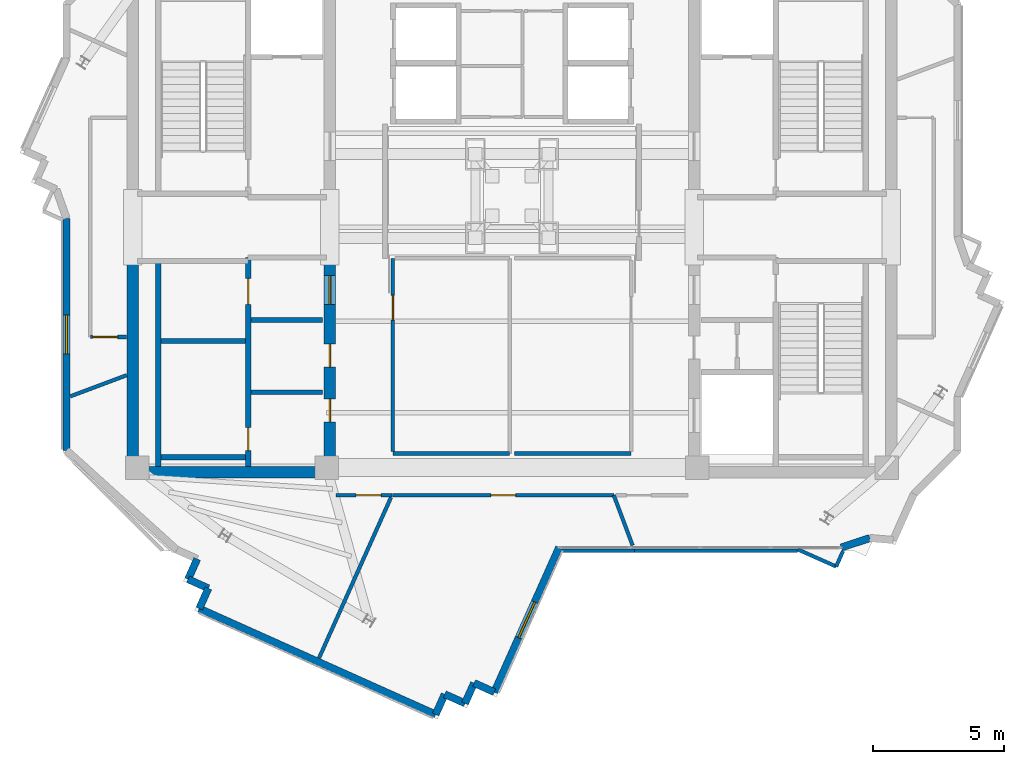
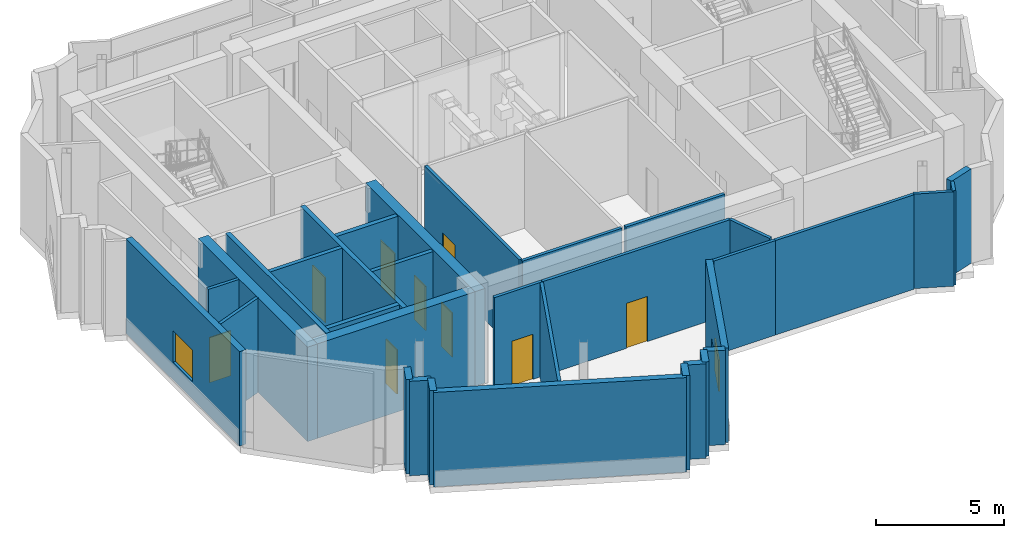
# One storey, part 5 of 11: 33 walls, 9 doors, 2 windows, 11 openings.
"""IFC4 building model written with IfcOpenShell, lengths in metres."""

import ifcopenshell
import ifcopenshell.guid

model = None  # the IFC model being written
_history = None  # IfcOwnerHistory: only IFC2X3 demands one
_inside = {}  # id of a spatial element -> (the spatial element, [elements in it])
_under = {}  # id of a project, library or spatial element -> (it, [spatial elements below it])
_declared = {}  # id of a project -> (the project, [libraries it declares])
_typed = {}  # id of a type object -> (the type object, [elements of that type])
_made_of = {}  # id of a material, layer set ... -> (it, [elements and type objects made of it])


def new_model(schema):
    """Start an empty IFC model of exactly this schema.

    Asked for "IFC4X3", IfcOpenShell would pick the latest addendum, in which some entities
    have other attributes; the version numbers below select the first issue.
    IFC2X3 requires an IfcOwnerHistory on every rooted entity: one is made here for all.
    """
    global model, _history
    if schema == "IFC4X3":
        model = ifcopenshell.file(schema_version=(4, 3, 0, 0))
    else:
        model = ifcopenshell.file(schema=schema)
    _inside.clear()
    _under.clear()
    _declared.clear()
    _typed.clear()
    _made_of.clear()
    _history = None
    if model.schema == "IFC2X3":
        org = make("IfcOrganization", Name="unknown")
        user = make(
            "IfcPersonAndOrganization",
            ThePerson=make("IfcPerson", FamilyName="unknown"),
            TheOrganization=org,
        )
        app = make(
            "IfcApplication",
            ApplicationDeveloper=org,
            Version="unknown",
            ApplicationFullName="unknown",
            ApplicationIdentifier="unknown",
        )
        _history = make(
            "IfcOwnerHistory",
            OwningUser=user,
            OwningApplication=app,
            ChangeAction="ADDED",
            CreationDate=0,
        )
    return model


def make(cls, **values):
    """One entity of the class cls with the attributes given. An attribute that is None is left unset."""
    return model.create_entity(
        cls, **{name: value for name, value in values.items() if value is not None}
    )


def rooted(cls, **values):
    """An entity with a GlobalId (a new one), such as an element, a storey or a relation."""
    return make(cls, GlobalId=ifcopenshell.guid.new(), OwnerHistory=_history, **values)


def si_unit(unit_type, name, prefix=None):
    """IfcSIUnit, for example si_unit("LENGTHUNIT", "METRE", prefix="MILLI")."""
    return make("IfcSIUnit", UnitType=unit_type, Prefix=prefix, Name=name)


def assignment(units):
    """IfcUnitAssignment: the units of a project."""
    return None if units is None else make("IfcUnitAssignment", Units=units)


def point(xyz):
    """IfcCartesianPoint."""
    return None if xyz is None else make("IfcCartesianPoint", Coordinates=xyz)


def direction(xyz):
    """IfcDirection."""
    return None if xyz is None else make("IfcDirection", DirectionRatios=xyz)


def frame(location, z_axis=None, x_axis=None):
    """IfcAxis2Placement3D, a coordinate frame: its origin and axes. An axis left out is left unset."""
    return make(
        "IfcAxis2Placement3D",
        Location=point(location),
        Axis=direction(z_axis),
        RefDirection=direction(x_axis),
    )


def frame_2d(location, x_axis=None):
    """IfcAxis2Placement2D, a coordinate frame in the plane: its origin and x axis."""
    return make(
        "IfcAxis2Placement2D", Location=point(location), RefDirection=direction(x_axis)
    )


def origin():
    """The frame at (0, 0, 0) with its axes left unset."""
    return frame((0.0, 0.0, 0.0))


def place(relative_to, where):
    """IfcLocalPlacement: puts the frame where relative to a parent placement (None: the world)."""
    return make(
        "IfcLocalPlacement", PlacementRelTo=relative_to, RelativePlacement=where
    )


def context(
    kind, dimensions, precision=None, world=None, true_north=None, identifier=None
):
    """IfcGeometricRepresentationContext, for example the 3D "Model" context."""
    return make(
        "IfcGeometricRepresentationContext",
        ContextIdentifier=identifier,
        ContextType=kind,
        CoordinateSpaceDimension=dimensions,
        Precision=precision,
        WorldCoordinateSystem=world,
        TrueNorth=true_north,
    )


def subcontext(parent, identifier, kind, view, scale=None):
    """IfcGeometricRepresentationSubContext, for example "Body" below "Model"."""
    return make(
        "IfcGeometricRepresentationSubContext",
        ContextIdentifier=identifier,
        ContextType=kind,
        ParentContext=parent,
        TargetScale=scale,
        TargetView=view,
    )


def project(units=None, contexts=None):
    """IfcProject with its units and contexts."""
    return rooted(
        "IfcProject",
        Name="project",
        RepresentationContexts=contexts,
        UnitsInContext=assignment(units),
    )


def spatial(cls, under=None, at=None, **own):
    """A site, building, storey or space (cls), placed at a placement, below another one or the project."""
    s = rooted(cls, ObjectPlacement=at, **own)
    if under is not None:
        _under.setdefault(under.id(), (under, []))[1].append(s)
    return s


def profile(cls, at=None, kind="AREA", **sizes):
    """A parametric profile (cls). Its sizes go by their IFC names, for example OverallWidth=200.0."""
    return make(cls, ProfileType=kind, Position=at, **sizes)


def rectangle(**sizes):
    """IfcRectangleProfileDef."""
    return profile("IfcRectangleProfileDef", **sizes)


def extrude(swept, where, along, depth):
    """IfcExtrudedAreaSolid: the profile swept, set in the frame where, extruded along a direction by depth."""
    return make(
        "IfcExtrudedAreaSolid",
        SweptArea=swept,
        Position=where,
        ExtrudedDirection=direction(along),
        Depth=depth,
    )


def shape(context_of_items, identifier, shape_type, items):
    """IfcShapeRepresentation: the items that make up one representation, for example the "Body"."""
    return make(
        "IfcShapeRepresentation",
        ContextOfItems=context_of_items,
        RepresentationIdentifier=identifier,
        RepresentationType=shape_type,
        Items=items,
    )


def source(mapping_origin, context_of_items, identifier, shape_type, items):
    """IfcRepresentationMap: a shape defined once, which mapped items show again and again."""
    return make(
        "IfcRepresentationMap",
        MappingOrigin=mapping_origin,
        MappedRepresentation=shape(context_of_items, identifier, shape_type, items),
    )


def transform(
    local_origin,
    x_axis=None,
    y_axis=None,
    z_axis=None,
    scale=None,
    scale2=None,
    scale3=None,
    uniform=True,
):
    """IfcCartesianTransformationOperator3D, or its non-uniform kind. x_axis, y_axis, z_axis: its Axis1, 2, 3."""
    if uniform:
        return make(
            "IfcCartesianTransformationOperator3D",
            Axis1=direction(x_axis),
            Axis2=direction(y_axis),
            LocalOrigin=point(local_origin),
            Scale=scale,
            Axis3=direction(z_axis),
        )
    return make(
        "IfcCartesianTransformationOperator3DnonUniform",
        Axis1=direction(x_axis),
        Axis2=direction(y_axis),
        LocalOrigin=point(local_origin),
        Scale=scale,
        Axis3=direction(z_axis),
        Scale2=scale2,
        Scale3=scale3,
    )


def mapped(mapping_source, mapping_target):
    """IfcMappedItem: shows the shape of a source again, moved by a transform."""
    return make(
        "IfcMappedItem", MappingSource=mapping_source, MappingTarget=mapping_target
    )


def material(Name=None, Category=None):
    """IfcMaterial."""
    return make("IfcMaterial", Name=Name, Category=Category)


def layer(
    of_material, thickness, ventilated=None, Name=None, Category=None, Priority=None
):
    """IfcMaterialLayer: one layer of a wall or slab, of a material (None: an air gap)."""
    return make(
        "IfcMaterialLayer",
        Material=of_material,
        LayerThickness=thickness,
        IsVentilated=ventilated,
        Name=Name,
        Category=Category,
        Priority=Priority,
    )


def layer_set(layers, Name=None):
    """IfcMaterialLayerSet."""
    return make("IfcMaterialLayerSet", MaterialLayers=layers, LayerSetName=Name)


def made_of(thing, what):
    """Note that an element or type object is made of a material, layer set ...; save() writes the relation."""
    if what is not None:
        _made_of.setdefault(what.id(), (what, []))[1].append(thing)
    return thing


def type_object(cls, material=None, **own):
    """A type object (cls), such as IfcWallType, which elements share."""
    return made_of(rooted(cls, **own), material)


def element(
    cls,
    number,
    at=None,
    inside=None,
    cuts=None,
    type_object=None,
    material=None,
    context=None,
    identifier="Body",
    shape_type=None,
    held_by="IfcProductDefinitionShape",
    body=None,
    shapes=None,
    **own,
):
    """One element of the class cls, such as IfcWall. Its Tag is "e" and its number.

    at: its placement. inside: the storey or other place that contains it. cuts: it is an
    opening in that element (IfcRelVoidsElement). A single representation is given by context,
    identifier, shape_type and body (its items); several are given by shapes. held_by: the class
    of the entity that holds the representations. save() writes the other relations.
    """
    e = rooted(cls, Tag="e%d" % number, ObjectPlacement=at, **own)
    if body is not None:
        shapes = [shape(context, identifier, shape_type, body)]
    if shapes is not None:
        e.Representation = make(held_by, Representations=shapes)
    if inside is not None:
        _inside.setdefault(inside.id(), (inside, []))[1].append(e)
    if cuts is not None:
        rooted(
            "IfcRelVoidsElement", RelatingBuildingElement=cuts, RelatedOpeningElement=e
        )
    if type_object is not None:
        _typed.setdefault(type_object.id(), (type_object, []))[1].append(e)
    return made_of(e, material)


def fill(opening, filler):
    """IfcRelFillsElement: the door or window that sits in an opening."""
    return rooted(
        "IfcRelFillsElement",
        RelatingOpeningElement=opening,
        RelatedBuildingElement=filler,
    )


def aggregate(whole, parts):
    """IfcRelAggregates: a whole, such as a stair, and the parts it consists of."""
    return rooted("IfcRelAggregates", RelatingObject=whole, RelatedObjects=parts)


def save(model, path):
    """Write the relations noted so far, then the file.

    IfcRelAggregates (storeys below a building ...), IfcRelContainedInSpatialStructure (elements
    in a storey), IfcRelDefinesByType, IfcRelAssociatesMaterial and IfcRelDeclares: one each for
    every whole, place, type object, material and project.
    """
    for whole, parts in _under.values():
        aggregate(whole, parts)
    for where, things in _inside.values():
        rooted(
            "IfcRelContainedInSpatialStructure",
            RelatedElements=things,
            RelatingStructure=where,
        )
    for kind, things in _typed.values():
        rooted("IfcRelDefinesByType", RelatedObjects=things, RelatingType=kind)
    for what, things in _made_of.values():
        rooted("IfcRelAssociatesMaterial", RelatedObjects=things, RelatingMaterial=what)
    for by, libraries in _declared.values():
        rooted("IfcRelDeclares", RelatingContext=by, RelatedDefinitions=libraries)
    model.write(path)


model = new_model("IFC4")

# Units and contexts
model_context = context("Model", 3, precision=1e-05, world=origin(), true_north=direction((0.0, 1.0)))
body_context = subcontext(model_context, "Body", "Model", "MODEL_VIEW")
ifc_project = project(units=[si_unit("LENGTHUNIT", "METRE"), si_unit("AREAUNIT", "SQUARE_METRE"), si_unit("VOLUMEUNIT", "CUBIC_METRE"), si_unit("PLANEANGLEUNIT", "RADIAN"), si_unit("MASSUNIT", "GRAM", prefix="KILO")], contexts=[model_context])

# Site, building, storey
site_placement = place(None, origin())
site = spatial("IfcSite", under=ifc_project, at=site_placement, CompositionType="ELEMENT")
building_placement = place(site_placement, origin())
building = spatial("IfcBuilding", under=site, at=building_placement, Name="Zahravan Cultural Tower", CompositionType="ELEMENT")
storey_placement = place(building_placement, frame((0.0, 0.0, 361.050048828125)))
storey = spatial("IfcBuildingStorey", under=building, at=storey_placement, Name="L88", CompositionType="ELEMENT", Elevation=361.050048828125)

# Wall, openings, doors
ifc_material_1 = material(Name="Concrete C50/60", Category="concrete")
ifc_layer_1 = layer(ifc_material_1, 0.449951171875)
ifc_layer_set_1 = layer_set([ifc_layer_1], Name="Concrete C50/60")
wall_type_1 = type_object("IfcWallType", Name="CW-SHEAR-450-C50", PredefinedType="SHEAR", material=ifc_layer_set_1)
wall_1_placement = place(storey_placement, frame((29.02490234375, 17.39990234375, 0.0), z_axis=(0.0, 0.0, 1.0), x_axis=(0.0, 1.0, 0.0)))
wall_1 = element("IfcWall", 1, at=wall_1_placement, inside=storey, type_object=wall_type_1, Name="L88 Core Shear Wall CW-W-ES-L88", PredefinedType="SHEAR", context=body_context, shape_type="SweptSolid", body=[
    extrude(rectangle(XDim=8.550048828125, YDim=0.449951171875, at=frame_2d((4.27490234375, 0.0))), origin(), (0.0, 0.0, 1.0), 4.5),
])
opening_1_placement = place(wall_1_placement, frame((6.64990234375, 0.0, 0.0)))
opening_1 = element("IfcOpeningElement", 2, at=opening_1_placement, cuts=wall_1, Name="Opening D-L88-08", PredefinedType="OPENING", context=body_context, shape_type="SweptSolid", body=[
    extrude(rectangle(XDim=1.10009765625, YDim=2.199951171875, at=frame_2d((0.550048828125, 1.10009765625))), frame((0.0, 0.23486328125, 0.0), z_axis=(0.0, -1.0, 0.0), x_axis=(1.0, 0.0, 0.0)), (0.0, 0.0, 1.0), 0.469970703125),
])
opening_2_placement = place(wall_1_placement, frame((2.14990234375, 0.0, 0.0)))
opening_2 = element("IfcOpeningElement", 3, at=opening_2_placement, cuts=wall_1, Name="Opening D-L88-10", PredefinedType="OPENING", context=body_context, shape_type="SweptSolid", body=[
    extrude(rectangle(XDim=0.8798828125, YDim=2.10009765625, at=frame_2d((0.43994140625, 1.050048828125))), frame((0.0, 0.23486328125, 0.0), z_axis=(0.0, -1.0, 0.0), x_axis=(1.0, 0.0, 0.0)), (0.0, 0.0, 1.0), 0.469970703125),
])
opening_3_placement = place(wall_1_placement, frame((4.25, 0.0, 0.0)))
opening_3 = element("IfcOpeningElement", 4, at=opening_3_placement, cuts=wall_1, Name="Opening D-L88-11", PredefinedType="OPENING", context=body_context, shape_type="SweptSolid", body=[
    extrude(rectangle(XDim=0.8798828125, YDim=2.10009765625, at=frame_2d((0.43994140625, 1.050048828125))), frame((0.0, 0.23486328125, 0.0), z_axis=(0.0, -1.0, 0.0), x_axis=(1.0, 0.0, 0.0)), (0.0, 0.0, 1.0), 0.469970703125),
])
ifc_material_2 = material(Name="Steel ASTM A572 Grade 50", Category="steel")
door_type_1 = type_object("IfcDoorType", Name="DR-LOBBY-1100", OperationType="NOTDEFINED", PredefinedType="DOOR", material=ifc_material_2)
shared_shape_1 = source(origin(), body_context, "Body", "SweptSolid", [
    extrude(rectangle(XDim=1.10009765625, YDim=2.199951171875, at=frame_2d((0.550048828125, 1.10009765625))), frame((0.0, 0.02490234375, 0.0), z_axis=(0.0, -1.0, 0.0), x_axis=(1.0, 0.0, 0.0)), (0.0, 0.0, 1.0), 0.050048828125),
])
door_1_placement = place(opening_1_placement, origin())
door_1 = element("IfcDoor", 5, at=door_1_placement, inside=storey, type_object=door_type_1, Name="L88 Door D-L88-08", OperationType="SINGLE_SWING_RIGHT", OverallHeight=2.199951171875, OverallWidth=1.10009765625, PredefinedType="DOOR", context=body_context, shape_type="MappedRepresentation", body=[
    mapped(shared_shape_1, transform((0.0, 0.0, 0.0), x_axis=(1.0, 0.0, 0.0), y_axis=(0.0, 1.0, 0.0), z_axis=(0.0, 0.0, 1.0), scale=1.0)),
])
fill(opening_1, door_1)
door_type_2 = type_object("IfcDoorType", Name="DR-SVC-880", OperationType="NOTDEFINED", PredefinedType="DOOR", material=ifc_material_2)
shared_shape_2 = source(origin(), body_context, "Body", "SweptSolid", [
    extrude(rectangle(XDim=0.8798828125, YDim=2.10009765625, at=frame_2d((0.43994140625, 1.050048828125))), frame((0.0, 0.02490234375, 0.0), z_axis=(0.0, -1.0, 0.0), x_axis=(1.0, 0.0, 0.0)), (0.0, 0.0, 1.0), 0.050048828125),
])
door_2_placement = place(opening_2_placement, origin())
door_2 = element("IfcDoor", 6, at=door_2_placement, inside=storey, type_object=door_type_2, Name="L88 Door D-L88-10", OperationType="SINGLE_SWING_RIGHT", OverallHeight=2.10009765625, OverallWidth=0.8798828125, PredefinedType="DOOR", context=body_context, shape_type="MappedRepresentation", body=[
    mapped(shared_shape_2, transform((0.0, 0.0, 0.0), x_axis=(1.0, 0.0, 0.0), y_axis=(0.0, 1.0, 0.0), z_axis=(0.0, 0.0, 1.0), scale=1.0)),
])
fill(opening_2, door_2)
door_3_placement = place(opening_3_placement, origin())
door_3 = element("IfcDoor", 7, at=door_3_placement, inside=storey, type_object=door_type_2, Name="L88 Door D-L88-11", OperationType="SINGLE_SWING_LEFT", OverallHeight=2.10009765625, OverallWidth=0.8798828125, PredefinedType="DOOR", context=body_context, shape_type="MappedRepresentation", body=[
    mapped(shared_shape_2, transform((0.0, 0.0, 0.0), x_axis=(1.0, 0.0, 0.0), y_axis=(0.0, 1.0, 0.0), z_axis=(0.0, 0.0, 1.0), scale=1.0)),
])
fill(opening_3, door_3)

# Wall, opening, window
ifc_material_3 = material(Name="Precast concrete C40/50", Category="concrete")
ifc_layer_2 = layer(ifc_material_3, 0.280029296875)
ifc_layer_set_2 = layer_set([ifc_layer_2], Name="Precast concrete C40/50")
wall_type_2 = type_object("IfcWallType", Name="EW-TC-280", PredefinedType="SOLIDWALL", material=ifc_layer_set_2)
wall_2_placement = place(storey_placement, frame((18.93994140625, 18.4580078125, 0.0), z_axis=(0.0, 0.0, 1.0), x_axis=(0.0, 1.0, 0.0)))
wall_2 = element("IfcWall", 8, at=wall_2_placement, inside=storey, type_object=wall_type_2, Name="L88 Exterior Masonry Frame Wall 02", PredefinedType="SOLIDWALL", context=body_context, shape_type="SweptSolid", body=[
    extrude(rectangle(XDim=8.887451171875, YDim=0.280029296875, at=frame_2d((4.44384765625, 0.0))), origin(), (0.0, 0.0, 1.0), 4.5),
])
opening_4_placement = place(wall_2_placement, frame((3.694091796875, 0.0, 0.85009765625)))
opening_4 = element("IfcOpeningElement", 9, at=opening_4_placement, cuts=wall_2, Name="Opening WN-03", PredefinedType="OPENING", context=body_context, shape_type="SweptSolid", body=[
    extrude(rectangle(XDim=1.5, YDim=1.5, at=frame_2d((0.75, 0.75))), frame((0.0, 0.14990234375, 0.0), z_axis=(0.0, -1.0, 0.0), x_axis=(1.0, 0.0, 0.0)), (0.0, 0.0, 1.0), 0.300048828125),
])
ifc_material_4 = material(Name="Low-E solar-control double glazing", Category="glass")
window_type = type_object("IfcWindowType", Name="WN-REC-1500X1500", PartitioningType="SINGLE_PANEL", PredefinedType="WINDOW", material=ifc_material_4)
shared_shape_3 = source(origin(), body_context, "Body", "SweptSolid", [
    extrude(rectangle(XDim=1.5, YDim=1.5, at=frame_2d((0.75, 0.75))), frame((0.0, 0.030029296875, 0.0), z_axis=(0.0, -1.0, 0.0), x_axis=(1.0, 0.0, 0.0)), (0.0, 0.0, 1.0), 0.06005859375),
])
window_1_placement = place(opening_4_placement, origin())
window_1 = element("IfcWindow", 10, at=window_1_placement, inside=storey, type_object=window_type, Name="L88 Recessed Solar Window 01", OverallHeight=1.5, OverallWidth=1.5, PartitioningType="SINGLE_PANEL", PredefinedType="WINDOW", context=body_context, shape_type="MappedRepresentation", body=[
    mapped(shared_shape_3, transform((0.0, 0.0, 0.0), x_axis=(1.0, 0.0, 0.0), y_axis=(0.0, 1.0, 0.0), z_axis=(0.0, 0.0, 1.0), scale=1.0)),
])
fill(opening_4, window_1)

wall_3_placement = place(storey_placement, frame((37.80517578125, 14.739990234375, 0.0), z_axis=(0.0, 0.0, 1.0), x_axis=(-0.408872261421, -0.912591624901, 0.0)))
wall_3 = element("IfcWall", 11, at=wall_3_placement, inside=storey, type_object=wall_type_2, Name="L88 Exterior Masonry Frame Wall 35", PredefinedType="SOLIDWALL", context=body_context, shape_type="SweptSolid", body=[
    extrude(rectangle(XDim=6.069580078125, YDim=0.280029296875, at=frame_2d((3.03466796875, 0.0))), origin(), (0.0, 0.0, 1.0), 4.5),
])
opening_5_placement = place(wall_3_placement, frame((2.284912109375, 0.0, 0.85009765625)))
opening_5 = element("IfcOpeningElement", 12, at=opening_5_placement, cuts=wall_3, Name="Opening WN-03", PredefinedType="OPENING", context=body_context, shape_type="SweptSolid", body=[
    extrude(rectangle(XDim=1.5, YDim=1.5, at=frame_2d((0.75, 0.75))), frame((0.0, 0.14990234375, 0.0), z_axis=(0.0, -1.0, 0.0), x_axis=(1.0, 0.0, 0.0)), (0.0, 0.0, 1.0), 0.300048828125),
])
window_2_placement = place(opening_5_placement, origin())
window_2 = element("IfcWindow", 13, at=window_2_placement, inside=storey, type_object=window_type, Name="L88 Recessed Solar Window 06", OverallHeight=1.5, OverallWidth=1.5, PartitioningType="SINGLE_PANEL", PredefinedType="WINDOW", context=body_context, shape_type="MappedRepresentation", body=[
    mapped(shared_shape_3, transform((0.0, 0.0, 0.0), x_axis=(1.0, 0.0, 0.0), y_axis=(0.0, 1.0, 0.0), z_axis=(0.0, 0.0, 1.0), scale=1.0)),
])
fill(opening_5, window_2)

# Wall, opening, door
ifc_material_5 = material(Name="Gypsum plasterboard partition")
ifc_layer_3 = layer(ifc_material_5, 0.139892578125)
ifc_layer_set_3 = layer_set([ifc_layer_3], Name="Gypsum plasterboard partition")
wall_type_3 = type_object("IfcWallType", Name="W-PART-140", PredefinedType="PARTITIONING", material=ifc_layer_set_3)
wall_4_placement = place(storey_placement, frame((19.863037109375, 22.8046875, 0.0), z_axis=(0.0, 0.0, 1.0), x_axis=(0.999994944951, -0.003179634165, 0.0)))
wall_4 = element("IfcWall", 14, at=wall_4_placement, inside=storey, type_object=wall_type_3, Name="L88 Interior Wall 053", PredefinedType="PARTITIONING", context=body_context, shape_type="SweptSolid", body=[
    extrude(rectangle(XDim=1.382080078125, YDim=0.139892578125, at=frame_2d((0.69091796875, 0.0))), origin(), (0.0, 0.0, 1.0), 4.5),
])
opening_6_placement = place(wall_4_placement, frame((0.0810546875, 0.0, 0.0)))
opening_6 = element("IfcOpeningElement", 15, at=opening_6_placement, cuts=wall_4, Name="Opening D-L88-24", PredefinedType="OPENING", context=body_context, shape_type="SweptSolid", body=[
    extrude(rectangle(XDim=0.949951171875, YDim=2.14990234375, at=frame_2d((0.47509765625, 1.074951171875))), frame((0.0, 0.079833984375, 0.0), z_axis=(0.0, -1.0, 0.0), x_axis=(1.0, 0.0, 0.0)), (0.0, 0.0, 1.0), 0.159912109375),
])
ifc_material_6 = material(Name="Anodised bronze-aluminium mullion", Category="aluminium")
door_type_3 = type_object("IfcDoorType", Name="DR-ROOM-950", OperationType="NOTDEFINED", PredefinedType="DOOR", material=ifc_material_6)
shared_shape_4 = source(origin(), body_context, "Body", "SweptSolid", [
    extrude(rectangle(XDim=0.949951171875, YDim=2.14990234375, at=frame_2d((0.47509765625, 1.074951171875))), frame((0.0, 0.02490234375, 0.0), z_axis=(0.0, -1.0, 0.0), x_axis=(1.0, 0.0, 0.0)), (0.0, 0.0, 1.0), 0.050048828125),
])
door_4_placement = place(opening_6_placement, origin())
door_4 = element("IfcDoor", 16, at=door_4_placement, inside=storey, type_object=door_type_3, Name="L88 Door D-L88-24", OperationType="SINGLE_SWING_RIGHT", OverallHeight=2.14990234375, OverallWidth=0.949951171875, PredefinedType="DOOR", context=body_context, shape_type="MappedRepresentation", body=[
    mapped(shared_shape_4, transform((0.0, 0.0, 0.0), x_axis=(1.0, 0.0, 0.0), y_axis=(0.0, 1.0, 0.0), z_axis=(0.0, 0.0, 1.0), scale=1.0)),
])
fill(opening_6, door_4)

wall_5_placement = place(storey_placement, frame((31.43994140625, 18.4150390625, 0.0), z_axis=(0.0, 0.0, 1.0), x_axis=(0.0, 1.0, 0.0)))
wall_5 = element("IfcWall", 17, at=wall_5_placement, inside=storey, type_object=wall_type_3, Name="L88 Interior Wall 075", PredefinedType="PARTITIONING", context=body_context, shape_type="SweptSolid", body=[
    extrude(rectangle(XDim=7.39501953125, YDim=0.139892578125, at=frame_2d((3.697509765625, 0.0))), origin(), (0.0, 0.0, 1.0), 4.5),
])
opening_7_placement = place(wall_5_placement, frame((5.027099609375, 0.0, 0.0)))
opening_7 = element("IfcOpeningElement", 18, at=opening_7_placement, cuts=wall_5, Name="Opening D-L88-14", PredefinedType="OPENING", context=body_context, shape_type="SweptSolid", body=[
    extrude(rectangle(XDim=0.949951171875, YDim=2.14990234375, at=frame_2d((0.47509765625, 1.074951171875))), frame((0.0, 0.079833984375, 0.0), z_axis=(0.0, -1.0, 0.0), x_axis=(1.0, 0.0, 0.0)), (0.0, 0.0, 1.0), 0.159912109375),
])
door_5_placement = place(opening_7_placement, origin())
door_5 = element("IfcDoor", 19, at=door_5_placement, inside=storey, type_object=door_type_3, Name="L88 Door D-L88-14", OperationType="SINGLE_SWING_RIGHT", OverallHeight=2.14990234375, OverallWidth=0.949951171875, PredefinedType="DOOR", context=body_context, shape_type="MappedRepresentation", body=[
    mapped(shared_shape_4, transform((0.0, 0.0, 0.0), x_axis=(1.0, 0.0, 0.0), y_axis=(0.0, 1.0, 0.0), z_axis=(0.0, 0.0, 1.0), scale=1.0)),
])
fill(opening_7, door_5)

wall_6_placement = place(storey_placement, frame((29.25341796875, 16.7412109375, 0.0), z_axis=(0.0, 0.0, 1.0), x_axis=(0.999999838805, -0.000567794594, 0.0)))
wall_6 = element("IfcWall", 20, at=wall_6_placement, inside=storey, type_object=wall_type_3, Name="L88 Interior Wall 086", PredefinedType="PARTITIONING", context=body_context, shape_type="SweptSolid", body=[
    extrude(rectangle(XDim=2.14990234375, YDim=0.139892578125, at=frame_2d((1.074951171875, 0.0))), origin(), (0.0, 0.0, 1.0), 4.5),
])
opening_8_placement = place(wall_6_placement, frame((0.780029296875, 0.0, 0.0)))
opening_8 = element("IfcOpeningElement", 21, at=opening_8_placement, cuts=wall_6, Name="Opening D-L88-21", PredefinedType="OPENING", context=body_context, shape_type="SweptSolid", body=[
    extrude(rectangle(XDim=0.949951171875, YDim=2.14990234375, at=frame_2d((0.47509765625, 1.074951171875))), frame((0.0, 0.079833984375, 0.0), z_axis=(0.0, -1.0, 0.0), x_axis=(1.0, 0.0, 0.0)), (0.0, 0.0, 1.0), 0.159912109375),
])
door_6_placement = place(opening_8_placement, origin())
door_6 = element("IfcDoor", 22, at=door_6_placement, inside=storey, type_object=door_type_3, Name="L88 Door D-L88-21", OperationType="SINGLE_SWING_LEFT", OverallHeight=2.14990234375, OverallWidth=0.949951171875, PredefinedType="DOOR", context=body_context, shape_type="MappedRepresentation", body=[
    mapped(shared_shape_4, transform((0.0, 0.0, 0.0), x_axis=(1.0, 0.0, 0.0), y_axis=(0.0, 1.0, 0.0), z_axis=(0.0, 0.0, 1.0), scale=1.0)),
])
fill(opening_8, door_6)

wall_7_placement = place(storey_placement, frame((31.42529296875, 16.739990234375, 0.0), z_axis=(0.0, 0.0, 1.0), x_axis=(1.0, 0.0, 0.0)))
wall_7 = element("IfcWall", 23, at=wall_7_placement, inside=storey, type_object=wall_type_3, Name="L88 Interior Wall 091", PredefinedType="PARTITIONING", context=body_context, shape_type="SweptSolid", body=[
    extrude(rectangle(XDim=8.4716796875, YDim=0.139892578125, at=frame_2d((4.23583984375, 0.0))), origin(), (0.0, 0.0, 1.0), 4.5),
])
opening_9_placement = place(wall_7_placement, frame((3.760986328125, 0.0, 0.0)))
opening_9 = element("IfcOpeningElement", 24, at=opening_9_placement, cuts=wall_7, Name="Opening D-L88-22", PredefinedType="OPENING", context=body_context, shape_type="SweptSolid", body=[
    extrude(rectangle(XDim=0.949951171875, YDim=2.14990234375, at=frame_2d((0.47509765625, 1.074951171875))), frame((0.0, 0.079833984375, 0.0), z_axis=(0.0, -1.0, 0.0), x_axis=(1.0, 0.0, 0.0)), (0.0, 0.0, 1.0), 0.159912109375),
])
door_7_placement = place(opening_9_placement, origin())
door_7 = element("IfcDoor", 25, at=door_7_placement, inside=storey, type_object=door_type_3, Name="L88 Door D-L88-22", OperationType="SINGLE_SWING_RIGHT", OverallHeight=2.14990234375, OverallWidth=0.949951171875, PredefinedType="DOOR", context=body_context, shape_type="MappedRepresentation", body=[
    mapped(shared_shape_4, transform((0.0, 0.0, 0.0), x_axis=(1.0, 0.0, 0.0), y_axis=(0.0, 1.0, 0.0), z_axis=(0.0, 0.0, 1.0), scale=1.0)),
])
fill(opening_9, door_7)

# Wall, openings, doors
ifc_material_7 = material(Name="Concrete C45/55", Category="concrete")
ifc_layer_4 = layer(ifc_material_7, 0.199951171875)
ifc_layer_set_4 = layer_set([ifc_layer_4], Name="Concrete C45/55")
wall_type_4 = type_object("IfcWallType", Name="W-SHAFT-200", PredefinedType="SOLIDWALL", material=ifc_layer_set_4)
wall_8_placement = place(storey_placement, frame((25.89990234375, 17.85009765625, 0.0), z_axis=(0.0, 0.0, 1.0), x_axis=(0.0, 1.0, 0.0)))
wall_8 = element("IfcWall", 26, at=wall_8_placement, inside=storey, type_object=wall_type_4, Name="L88 Interior Wall 005", PredefinedType="SOLIDWALL", context=body_context, shape_type="SweptSolid", body=[
    extrude(rectangle(XDim=8.0, YDim=0.199951171875, at=frame_2d((4.0, 0.0))), origin(), (0.0, 0.0, 1.0), 4.5),
])
opening_10_placement = place(wall_8_placement, frame((6.199951171875, 0.0, 0.0)))
opening_10 = element("IfcOpeningElement", 27, at=opening_10_placement, cuts=wall_8, Name="Opening D-L88-04", PredefinedType="OPENING", context=body_context, shape_type="SweptSolid", body=[
    extrude(rectangle(XDim=1.0, YDim=2.14990234375, at=frame_2d((0.5, 1.074951171875))), frame((0.0, 0.10986328125, 0.0), z_axis=(0.0, -1.0, 0.0), x_axis=(1.0, 0.0, 0.0)), (0.0, 0.0, 1.0), 0.219970703125),
])
opening_11_placement = place(wall_8_placement, frame((0.60009765625, 0.0, 0.0)))
opening_11 = element("IfcOpeningElement", 28, at=opening_11_placement, cuts=wall_8, Name="Opening D-L88-05", PredefinedType="OPENING", context=body_context, shape_type="SweptSolid", body=[
    extrude(rectangle(XDim=0.8798828125, YDim=2.10009765625, at=frame_2d((0.43994140625, 1.050048828125))), frame((0.0, 0.10986328125, 0.0), z_axis=(0.0, -1.0, 0.0), x_axis=(1.0, 0.0, 0.0)), (0.0, 0.0, 1.0), 0.219970703125),
])
door_8_placement = place(opening_11_placement, origin())
door_8 = element("IfcDoor", 29, at=door_8_placement, inside=storey, type_object=door_type_2, Name="L88 Door D-L88-05", OperationType="SINGLE_SWING_LEFT", OverallHeight=2.10009765625, OverallWidth=0.8798828125, PredefinedType="DOOR", context=body_context, shape_type="MappedRepresentation", body=[
    mapped(shared_shape_2, transform((0.0, 0.0, 0.0), x_axis=(1.0, 0.0, 0.0), y_axis=(0.0, 1.0, 0.0), z_axis=(0.0, 0.0, 1.0), scale=1.0)),
])
fill(opening_11, door_8)
door_type_4 = type_object("IfcDoorType", Name="DR-COMP-1000", OperationType="NOTDEFINED", PredefinedType="DOOR", material=ifc_material_2)
shared_shape_5 = source(origin(), body_context, "Body", "SweptSolid", [
    extrude(rectangle(XDim=1.0, YDim=2.14990234375, at=frame_2d((0.5, 1.074951171875))), frame((0.0, 0.02490234375, 0.0), z_axis=(0.0, -1.0, 0.0), x_axis=(1.0, 0.0, 0.0)), (0.0, 0.0, 1.0), 0.050048828125),
])
door_9_placement = place(opening_10_placement, origin())
door_9 = element("IfcDoor", 30, at=door_9_placement, inside=storey, type_object=door_type_4, Name="L88 Door D-L88-04", OperationType="SINGLE_SWING_RIGHT", OverallHeight=2.14990234375, OverallWidth=1.0, PredefinedType="DOOR", context=body_context, shape_type="MappedRepresentation", body=[
    mapped(shared_shape_5, transform((0.0, 0.0, 0.0), x_axis=(1.0, 0.0, 0.0), y_axis=(0.0, 1.0, 0.0), z_axis=(0.0, 0.0, 1.0), scale=1.0)),
])
fill(opening_10, door_9)

# Walls
shared_shape_6 = source(origin(), body_context, "Body", "SweptSolid", [
    extrude(rectangle(XDim=8.550048828125, YDim=0.449951171875, at=frame_2d((4.27490234375, 0.0))), origin(), (0.0, 0.0, 1.0), 4.5),
])
wall_9_placement = place(storey_placement, frame((21.47509765625, 17.39990234375, 0.0), z_axis=(0.0, 0.0, 1.0), x_axis=(0.0, 1.0, 0.0)))
element("IfcWall", 31, at=wall_9_placement, inside=storey, type_object=wall_type_1, Name="L88 Core Shear Wall CW-W-WS-L88", PredefinedType="SHEAR", context=body_context, shape_type="MappedRepresentation", body=[
    mapped(shared_shape_6, transform((0.0, 0.0, 0.0), x_axis=(1.0, 0.0, 0.0), y_axis=(0.0, 1.0, 0.0), z_axis=(0.0, 0.0, 1.0), scale=1.0)),
])
shared_shape_7 = source(origin(), body_context, "Body", "SweptSolid", [
    extrude(rectangle(XDim=7.10009765625, YDim=0.449951171875, at=frame_2d((3.550048828125, 0.0))), origin(), (0.0, 0.0, 1.0), 4.5),
])
wall_10_placement = place(storey_placement, frame((21.699951171875, 17.625, 0.0), z_axis=(0.0, 0.0, 1.0), x_axis=(1.0, 0.0, 0.0)))
element("IfcWall", 32, at=wall_10_placement, inside=storey, type_object=wall_type_1, Name="L88 Core Shear Wall CW-W-S-L88", PredefinedType="SHEAR", context=body_context, shape_type="MappedRepresentation", body=[
    mapped(shared_shape_7, transform((0.0, 0.0, 0.0), x_axis=(1.0, 0.0, 0.0), y_axis=(0.0, 1.0, 0.0), z_axis=(0.0, 0.0, 1.0), scale=1.0)),
])
shared_shape_8 = source(origin(), body_context, "Body", "SweptSolid", [
    extrude(rectangle(XDim=0.85009765625, YDim=0.280029296875, at=frame_2d((0.425048828125, 0.0))), origin(), (0.0, 0.0, 1.0), 4.5),
])
for number, where, z_axis, x_axis, name in (
    (33, (34.5478515625, 9.54833984375, 0.0), (0.0, 0.0, 1.0), (-0.409014667771, -0.912527808644, 0.0), "L88 Exterior Masonry Frame Wall 37"),
    (34, (24.37158203125, 13.176025390625, 0.0), (0.0, 0.0, 1.0), (-0.912527808644, 0.409014667771, 0.0), "L88 Exterior Masonry Frame Wall 42"),
):
    element("IfcWall", number, at=place(storey_placement, frame(where, z_axis=z_axis, x_axis=x_axis)), inside=storey, type_object=wall_type_2, Name=name, PredefinedType="SOLIDWALL", context=body_context, shape_type="MappedRepresentation", body=[
        mapped(shared_shape_8, transform((0.0, 0.0, 0.0), x_axis=(1.0, 0.0, 0.0), y_axis=(0.0, 1.0, 0.0), z_axis=(0.0, 0.0, 1.0), scale=1.0)),
    ])
shared_shape_9 = source(origin(), body_context, "Body", "SweptSolid", [
    extrude(rectangle(XDim=0.849853515625, YDim=0.280029296875, at=frame_2d((0.4248046875, 0.0))), origin(), (0.0, 0.0, 1.0), 4.5),
])
for number, where, z_axis, x_axis, name in (
    (35, (35.323486328125, 9.200927734375, 0.0), (0.0, 0.0, 1.0), (-0.912634994598, 0.408775447691, 0.0), "L88 Exterior Masonry Frame Wall 36"),
    (36, (34.2001953125, 8.772705078125, 0.0), (0.0, 0.0, 1.0), (-0.912634994598, 0.408775447691, 0.0), "L88 Exterior Masonry Frame Wall 38"),
    (37, (33.424560546875, 9.1201171875, 0.0), (0.0, 0.0, 1.0), (-0.408775447691, -0.912634994598, 0.0), "L88 Exterior Masonry Frame Wall 39"),
    (38, (24.024169921875, 12.400390625, 0.0), (0.0, 0.0, 1.0), (0.408775447691, 0.912634994598, 0.0), "L88 Exterior Masonry Frame Wall 41"),
    (39, (23.595947265625, 13.523681640625, 0.0), (0.0, 0.0, 1.0), (0.408775447691, 0.912634994598, 0.0), "L88 Exterior Masonry Frame Wall 43"),
):
    element("IfcWall", number, at=place(storey_placement, frame(where, z_axis=z_axis, x_axis=x_axis)), inside=storey, type_object=wall_type_2, Name=name, PredefinedType="SOLIDWALL", context=body_context, shape_type="MappedRepresentation", body=[
        mapped(shared_shape_9, transform((0.0, 0.0, 0.0), x_axis=(1.0, 0.0, 0.0), y_axis=(0.0, 1.0, 0.0), z_axis=(0.0, 0.0, 1.0), scale=1.0)),
    ])
shared_shape_10 = source(origin(), body_context, "Body", "SweptSolid", [
    extrude(rectangle(XDim=1.15087890625, YDim=0.280029296875, at=frame_2d((0.575439453125, 0.0))), origin(), (0.0, 0.0, 1.0), 4.5),
])
wall_11_placement = place(storey_placement, frame((49.702392578125, 15.100341796875, 0.0), z_axis=(0.0, 0.0, 1.0), x_axis=(-0.949717622695, -0.313107708532, 0.0)))
element("IfcWall", 40, at=wall_11_placement, inside=storey, type_object=wall_type_2, Name="L88 Exterior Masonry Frame Wall 34", PredefinedType="SOLIDWALL", context=body_context, shape_type="MappedRepresentation", body=[
    mapped(shared_shape_10, transform((0.0, 0.0, 0.0), x_axis=(1.0, 0.0, 0.0), y_axis=(0.0, 1.0, 0.0), z_axis=(0.0, 0.0, 1.0), scale=1.0)),
])
shared_shape_11 = source(origin(), body_context, "Body", "SweptSolid", [
    extrude(rectangle(XDim=9.919921875, YDim=0.280029296875, at=frame_2d((4.9599609375, 0.0))), origin(), (0.0, 0.0, 1.0), 4.5),
])
wall_12_placement = place(storey_placement, frame((33.0771484375, 8.344482421875, 0.0), z_axis=(0.0, 0.0, 1.0), x_axis=(-0.91259673328, 0.408860859469, 0.0)))
element("IfcWall", 41, at=wall_12_placement, inside=storey, type_object=wall_type_2, Name="L88 Exterior Masonry Frame Wall 40", PredefinedType="SOLIDWALL", context=body_context, shape_type="MappedRepresentation", body=[
    mapped(shared_shape_11, transform((0.0, 0.0, 0.0), x_axis=(1.0, 0.0, 0.0), y_axis=(0.0, 1.0, 0.0), z_axis=(0.0, 0.0, 1.0), scale=1.0)),
])
shared_shape_12 = source(origin(), body_context, "Body", "SweptSolid", [
    extrude(rectangle(XDim=7.869873046875, YDim=0.199951171875, at=frame_2d((3.93505859375, 0.0))), origin(), (0.0, 0.0, 1.0), 4.5),
])
wall_13_placement = place(storey_placement, frame((22.449951171875, 17.85009765625, 0.0), z_axis=(0.0, 0.0, 1.0), x_axis=(0.0, 1.0, 0.0)))
element("IfcWall", 42, at=wall_13_placement, inside=storey, type_object=wall_type_4, Name="L88 Interior Wall 001", PredefinedType="SOLIDWALL", context=body_context, shape_type="MappedRepresentation", body=[
    mapped(shared_shape_12, transform((0.0, 0.0, 0.0), x_axis=(1.0, 0.0, 0.0), y_axis=(0.0, 1.0, 0.0), z_axis=(0.0, 0.0, 1.0), scale=1.0)),
])
shared_shape_13 = source(origin(), body_context, "Body", "SweptSolid", [
    extrude(rectangle(XDim=3.25, YDim=0.199951171875, at=frame_2d((1.625, 0.0))), origin(), (0.0, 0.0, 1.0), 4.5),
])
wall_14_placement = place(storey_placement, frame((22.550048828125, 18.199951171875, 0.0), z_axis=(0.0, 0.0, 1.0), x_axis=(1.0, 0.0, 0.0)))
element("IfcWall", 43, at=wall_14_placement, inside=storey, type_object=wall_type_4, Name="L88 Interior Wall 019", PredefinedType="SOLIDWALL", context=body_context, shape_type="MappedRepresentation", body=[
    mapped(shared_shape_13, transform((0.0, 0.0, 0.0), x_axis=(1.0, 0.0, 0.0), y_axis=(0.0, 1.0, 0.0), z_axis=(0.0, 0.0, 1.0), scale=1.0)),
])
ifc_layer_5 = layer(ifc_material_5, 0.179931640625)
ifc_layer_set_5 = layer_set([ifc_layer_5], Name="Gypsum plasterboard partition")
wall_type_5 = type_object("IfcWallType", Name="W-COMP-180", PredefinedType="PARTITIONING", material=ifc_layer_set_5)
shared_shape_14 = source(origin(), body_context, "Body", "SweptSolid", [
    extrude(rectangle(XDim=3.25, YDim=0.179931640625, at=frame_2d((1.625, 0.0))), origin(), (0.0, 0.0, 1.0), 4.5),
])
wall_15_placement = place(storey_placement, frame((22.550048828125, 22.64990234375, 0.0), z_axis=(0.0, 0.0, 1.0), x_axis=(1.0, 0.0, 0.0)))
element("IfcWall", 44, at=wall_15_placement, inside=storey, type_object=wall_type_5, Name="L88 Interior Wall 021", PredefinedType="PARTITIONING", context=body_context, shape_type="MappedRepresentation", body=[
    mapped(shared_shape_14, transform((0.0, 0.0, 0.0), x_axis=(1.0, 0.0, 0.0), y_axis=(0.0, 1.0, 0.0), z_axis=(0.0, 0.0, 1.0), scale=1.0)),
])
shared_shape_15 = source(origin(), body_context, "Body", "SweptSolid", [
    extrude(rectangle(XDim=2.75, YDim=0.199951171875, at=frame_2d((1.375, 0.0))), origin(), (0.0, 0.0, 1.0), 4.5),
])
wall_16_placement = place(storey_placement, frame((26.0, 23.449951171875, 0.0), z_axis=(0.0, 0.0, 1.0), x_axis=(1.0, 0.0, 0.0)))
element("IfcWall", 45, at=wall_16_placement, inside=storey, type_object=wall_type_4, Name="L88 Interior Wall 024", PredefinedType="SOLIDWALL", context=body_context, shape_type="MappedRepresentation", body=[
    mapped(shared_shape_15, transform((0.0, 0.0, 0.0), x_axis=(1.0, 0.0, 0.0), y_axis=(0.0, 1.0, 0.0), z_axis=(0.0, 0.0, 1.0), scale=1.0)),
])
shared_shape_16 = source(origin(), body_context, "Body", "SweptSolid", [
    extrude(rectangle(XDim=2.75, YDim=0.179931640625, at=frame_2d((1.375, 0.0))), origin(), (0.0, 0.0, 1.0), 4.5),
])
wall_17_placement = place(storey_placement, frame((26.0, 20.679931640625, 0.0), z_axis=(0.0, 0.0, 1.0), x_axis=(1.0, 0.0, 0.0)))
element("IfcWall", 46, at=wall_17_placement, inside=storey, type_object=wall_type_5, Name="L88 Interior Wall 027", PredefinedType="PARTITIONING", context=body_context, shape_type="MappedRepresentation", body=[
    mapped(shared_shape_16, transform((0.0, 0.0, 0.0), x_axis=(1.0, 0.0, 0.0), y_axis=(0.0, 1.0, 0.0), z_axis=(0.0, 0.0, 1.0), scale=1.0)),
])
shared_shape_17 = source(origin(), body_context, "Body", "SweptSolid", [
    extrude(rectangle(XDim=2.30712890625, YDim=0.139892578125, at=frame_2d((1.153564453125, 0.0))), origin(), (0.0, 0.0, 1.0), 4.5),
])
wall_18_placement = place(storey_placement, frame((21.2451171875, 21.337158203125, 0.0), z_axis=(0.0, 0.0, 1.0), x_axis=(-0.936329177569, -0.351123441588, 0.0)))
element("IfcWall", 47, at=wall_18_placement, inside=storey, type_object=wall_type_3, Name="L88 Interior Wall 054", PredefinedType="PARTITIONING", context=body_context, shape_type="MappedRepresentation", body=[
    mapped(shared_shape_17, transform((0.0, 0.0, 0.0), x_axis=(1.0, 0.0, 0.0), y_axis=(0.0, 1.0, 0.0), z_axis=(0.0, 0.0, 1.0), scale=1.0)),
])
shared_shape_18 = source(origin(), body_context, "Body", "SweptSolid", [
    extrude(rectangle(XDim=2.051025390625, YDim=0.139892578125, at=frame_2d((1.025390625, 0.0))), origin(), (0.0, 0.0, 1.0), 4.5),
])
wall_19_placement = place(storey_placement, frame((40.618408203125, 14.820068359375, 0.0), z_axis=(0.0, 0.0, 1.0), x_axis=(-0.35174952174, 0.936094158702, 0.0)))
element("IfcWall", 48, at=wall_19_placement, inside=storey, type_object=wall_type_3, Name="L88 Interior Wall 069", PredefinedType="PARTITIONING", context=body_context, shape_type="MappedRepresentation", body=[
    mapped(shared_shape_18, transform((0.0, 0.0, 0.0), x_axis=(1.0, 0.0, 0.0), y_axis=(0.0, 1.0, 0.0), z_axis=(0.0, 0.0, 1.0), scale=1.0)),
])
shared_shape_19 = source(origin(), body_context, "Body", "SweptSolid", [
    extrude(rectangle(XDim=0.650390625, YDim=0.139892578125, at=frame_2d((0.3251953125, 0.0))), origin(), (0.0, 0.0, 1.0), 4.5),
])
wall_20_placement = place(storey_placement, frame((48.679443359375, 14.602783203125, 0.0), z_axis=(0.0, 0.0, 1.0), x_axis=(-0.40881875169, -0.912615597208, 0.0)))
element("IfcWall", 49, at=wall_20_placement, inside=storey, type_object=wall_type_3, Name="L88 Interior Wall 071", PredefinedType="PARTITIONING", context=body_context, shape_type="MappedRepresentation", body=[
    mapped(shared_shape_19, transform((0.0, 0.0, 0.0), x_axis=(1.0, 0.0, 0.0), y_axis=(0.0, 1.0, 0.0), z_axis=(0.0, 0.0, 1.0), scale=1.0)),
])
shared_shape_20 = source(origin(), body_context, "Body", "SweptSolid", [
    extrude(rectangle(XDim=1.606201171875, YDim=0.139892578125, at=frame_2d((0.80322265625, 0.0))), origin(), (0.0, 0.0, 1.0), 4.5),
])
wall_21_placement = place(storey_placement, frame((48.41357421875, 14.00927734375, 0.0), z_axis=(0.0, 0.0, 1.0), x_axis=(-0.913673598799, 0.406448711227, 0.0)))
element("IfcWall", 50, at=wall_21_placement, inside=storey, type_object=wall_type_3, Name="L88 Interior Wall 072", PredefinedType="PARTITIONING", context=body_context, shape_type="MappedRepresentation", body=[
    mapped(shared_shape_20, transform((0.0, 0.0, 0.0), x_axis=(1.0, 0.0, 0.0), y_axis=(0.0, 1.0, 0.0), z_axis=(0.0, 0.0, 1.0), scale=1.0)),
])
shared_shape_21 = source(origin(), body_context, "Body", "SweptSolid", [
    extrude(rectangle(XDim=6.233642578125, YDim=0.139892578125, at=frame_2d((3.11669921875, 0.0))), origin(), (0.0, 0.0, 1.0), 4.5),
])
wall_22_placement = place(storey_placement, frame((46.92724609375, 14.61962890625, 0.0), z_axis=(0.0, 0.0, 1.0), x_axis=(-0.999999996932, 7.8330004e-05, 0.0)))
element("IfcWall", 51, at=wall_22_placement, inside=storey, type_object=wall_type_3, Name="L88 Interior Wall 073", PredefinedType="PARTITIONING", context=body_context, shape_type="MappedRepresentation", body=[
    mapped(shared_shape_21, transform((0.0, 0.0, 0.0), x_axis=(1.0, 0.0, 0.0), y_axis=(0.0, 1.0, 0.0), z_axis=(0.0, 0.0, 1.0), scale=1.0)),
])
shared_shape_22 = source(origin(), body_context, "Body", "SweptSolid", [
    extrude(rectangle(XDim=4.469970703125, YDim=0.139892578125, at=frame_2d((2.23486328125, 0.0))), origin(), (0.0, 0.0, 1.0), 4.5),
])
for number, where, z_axis, x_axis, name in (
    (52, (35.909912109375, 18.340087890625, 0.0), (0.0, 0.0, 1.0), (-1.0, 0.0, 0.0), "L88 Interior Wall 074"),
    (53, (40.56005859375, 18.340087890625, 0.0), (0.0, 0.0, 1.0), (-1.0, 0.0, 0.0), "L88 Interior Wall 078"),
):
    element("IfcWall", number, at=place(storey_placement, frame(where, z_axis=z_axis, x_axis=x_axis)), inside=storey, type_object=wall_type_3, Name=name, PredefinedType="PARTITIONING", context=body_context, shape_type="MappedRepresentation", body=[
        mapped(shared_shape_22, transform((0.0, 0.0, 0.0), x_axis=(1.0, 0.0, 0.0), y_axis=(0.0, 1.0, 0.0), z_axis=(0.0, 0.0, 1.0), scale=1.0)),
    ])
shared_shape_23 = source(origin(), body_context, "Body", "SweptSolid", [
    extrude(rectangle(XDim=6.749755859375, YDim=0.139892578125, at=frame_2d((3.375, 0.0))), origin(), (0.0, 0.0, 1.0), 4.5),
])
wall_23_placement = place(storey_placement, frame((31.36962890625, 16.664794921875, 0.0), z_axis=(0.0, 0.0, 1.0), x_axis=(-0.408861688893, -0.912596361682, 0.0)))
element("IfcWall", 54, at=wall_23_placement, inside=storey, type_object=wall_type_3, Name="L88 Interior Wall 087", PredefinedType="PARTITIONING", context=body_context, shape_type="MappedRepresentation", body=[
    mapped(shared_shape_23, transform((0.0, 0.0, 0.0), x_axis=(1.0, 0.0, 0.0), y_axis=(0.0, 1.0, 0.0), z_axis=(0.0, 0.0, 1.0), scale=1.0)),
])
shared_shape_24 = source(origin(), body_context, "Body", "SweptSolid", [
    extrude(rectangle(XDim=2.785400390625, YDim=0.139892578125, at=frame_2d((1.392578125, 0.0))), origin(), (0.0, 0.0, 1.0), 4.5),
])
wall_24_placement = place(storey_placement, frame((40.693603515625, 14.619873046875, 0.0), z_axis=(0.0, 0.0, 1.0), x_axis=(-0.999998755431, -0.001577699851, 0.0)))
element("IfcWall", 55, at=wall_24_placement, inside=storey, type_object=wall_type_3, Name="L88 Interior Wall 092", PredefinedType="PARTITIONING", context=body_context, shape_type="MappedRepresentation", body=[
    mapped(shared_shape_24, transform((0.0, 0.0, 0.0), x_axis=(1.0, 0.0, 0.0), y_axis=(0.0, 1.0, 0.0), z_axis=(0.0, 0.0, 1.0), scale=1.0)),
])

save(model, "model.ifc")
